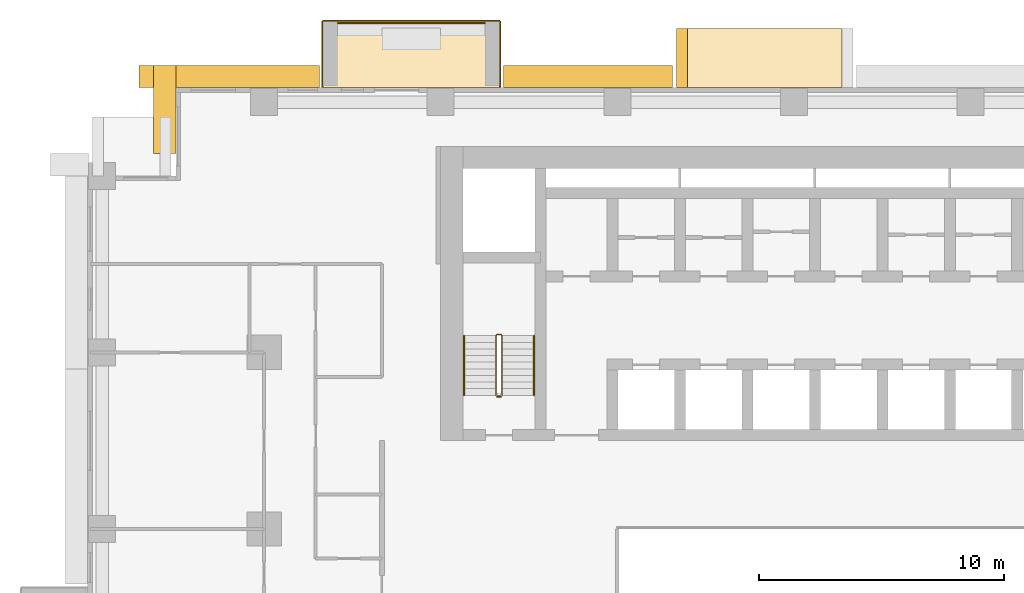
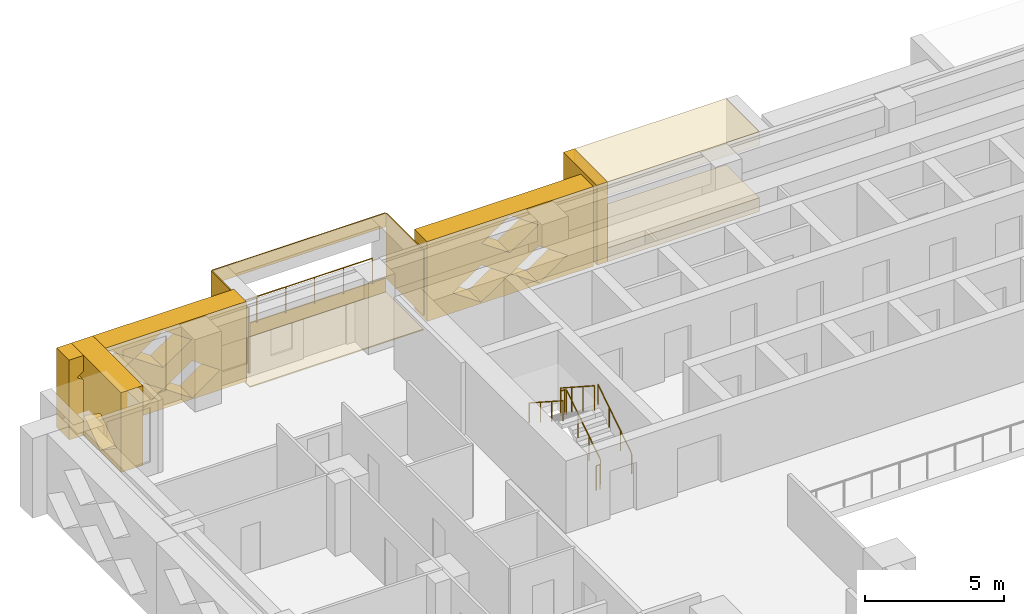
# One storey, part 15 of 17: 11 coverings, 5 railings.
"""IFC4 building model written with IfcOpenShell, lengths in metres."""

from ifc_helpers import new_model, si_unit, direction, frame, origin, origin_2d, place, context, subcontext, project, spatial, polyline, circle, outline, extrude, material, layer, layer_set, type_object, element, save


model = new_model("IFC4")

# Units and contexts
model_context = context("Model", 3, precision=1e-05, world=origin(), true_north=direction((0.0, 1.0)))
body_context = subcontext(model_context, "Body", "Model", "MODEL_VIEW")
ifc_project = project(units=[si_unit("LENGTHUNIT", "METRE"), si_unit("AREAUNIT", "SQUARE_METRE"), si_unit("VOLUMEUNIT", "CUBIC_METRE"), si_unit("PLANEANGLEUNIT", "RADIAN"), si_unit("MASSUNIT", "GRAM", prefix="KILO")], contexts=[model_context])

# Site, building, storey
site_placement = place(None, origin())
site = spatial("IfcSite", under=ifc_project, at=site_placement, CompositionType="ELEMENT")
building_placement = place(site_placement, origin())
building = spatial("IfcBuilding", under=site, at=building_placement, Name="Saffron Iwan Residences", CompositionType="ELEMENT")
storey_placement = place(building_placement, frame((0.0, 0.0, 51.5)))
storey = spatial("IfcBuildingStorey", under=building, at=storey_placement, Name="L12", CompositionType="ELEMENT", Elevation=51.5)

# Railing
ifc_material_1 = material(Name="Stainless steel 316", Category="steel")
railing_type_1 = type_object("IfcRailingType", Name="BALCONY GUARD 1150", PredefinedType="GUARDRAIL", material=ifc_material_1)
railing_1_placement = place(storey_placement, frame((30.60009765625, 83.02490234375, 0.0)))
element("IfcRailing", 1, at=railing_1_placement, inside=storey, type_object=railing_type_1, Name="Balcony guard L12 F5-3", PredefinedType="GUARDRAIL", context=body_context, shape_type="SweptSolid", body=[
    extrude(circle(Radius=0.02392578125, at=origin_2d()), frame((0.0, 0.0, 1.1259765625), z_axis=(-1.0, 0.0, 0.0), x_axis=(0.0, -1.0, 0.0)), (0.0, 0.0, 1.0), 6.0),
    extrude(circle(Radius=0.02099609375, at=origin_2d()), origin(), (0.0, 0.0, 1.0), 1.101806640625),
    extrude(circle(Radius=0.02099609375, at=origin_2d()), frame((-1.199951171875, 0.0, 0.0)), (0.0, 0.0, 1.0), 1.101806640625),
    extrude(circle(Radius=0.02099609375, at=origin_2d()), frame((-2.39990234375, 0.0, 0.0)), (0.0, 0.0, 1.0), 1.101806640625),
    extrude(circle(Radius=0.02099609375, at=origin_2d()), frame((-3.60009765625, 0.0, 0.0)), (0.0, 0.0, 1.0), 1.101806640625),
    extrude(circle(Radius=0.02099609375, at=origin_2d()), frame((-4.800048828125, 0.0, 0.0)), (0.0, 0.0, 1.0), 1.101806640625),
    extrude(circle(Radius=0.02099609375, at=origin_2d()), frame((-6.0, 0.0, 0.0)), (0.0, 0.0, 1.0), 1.101806640625),
])

# Coverings
ifc_material_2 = material(Name="Precast concrete C40/50 white painted", Category="concrete")
ifc_layer = layer(ifc_material_2, 0.050048828125)
ifc_layer_set = layer_set([ifc_layer], Name="Precast concrete C40/50 white painted")
covering_type_1 = type_object("IfcCoveringType", Name="FRAME SKIN PRECAST WHITE 50", PredefinedType="CLADDING", material=ifc_layer_set)
for number, where, name in (
    (2, (0.0, 0.0, -0.60009765625), "Frame skin slab edge L12 F5-3"),
    (3, (0.0, 0.0, 2.25), "Frame skin fascia L12 F5-3"),
):
    element("IfcCovering", number, at=place(storey_placement, frame(where)), inside=storey, type_object=covering_type_1, Name=name, PredefinedType="CLADDING", context=body_context, shape_type="SweptSolid", body=[
        extrude(outline(polyline([(31.199951171875, 83.14990234375), (24.0, 83.14990234375), (24.0, 83.10009765625), (31.199951171875, 83.10009765625), (31.199951171875, 83.14990234375)])), origin(), (0.0, 0.0, 1.0), 0.60009765625),
    ])
covering_1_placement = place(storey_placement, frame((0.0, 0.0, -0.64990234375)))
element("IfcCovering", 4, at=covering_1_placement, inside=storey, type_object=covering_type_1, Name="Frame skin soffit L12 F5-3", PredefinedType="CLADDING", context=body_context, shape_type="SweptSolid", body=[
    extrude(outline(polyline([(31.199951171875, 83.10009765625), (24.0, 83.10009765625), (24.0, 80.39990234375), (31.199951171875, 80.39990234375), (31.199951171875, 83.10009765625)])), origin(), (0.0, 0.0, 1.0), 0.0498046875),
])
covering_2_placement = place(storey_placement, origin())
element("IfcCovering", 5, at=covering_2_placement, inside=storey, type_object=covering_type_1, Name="Frame skin fin L12 F5-3a", PredefinedType="CLADDING", context=body_context, shape_type="SweptSolid", body=[
    extrude(outline(polyline([(31.25, 83.10009765625), (31.199951171875, 83.10009765625), (31.199951171875, 80.39990234375), (31.25, 80.39990234375), (31.25, 83.10009765625)])), origin(), (0.0, 0.0, 1.0), 2.85009765625),
])
covering_3_placement = place(storey_placement, origin())
element("IfcCovering", 6, at=covering_3_placement, inside=storey, type_object=covering_type_1, Name="Frame skin fin L12 F5-3b", PredefinedType="CLADDING", context=body_context, shape_type="SweptSolid", body=[
    extrude(outline(polyline([(24.0, 83.10009765625), (23.949951171875, 83.10009765625), (23.949951171875, 80.39990234375), (24.0, 80.39990234375), (24.0, 83.10009765625)])), origin(), (0.0, 0.0, 1.0), 2.85009765625),
])
ifc_material_3 = material(Name="Precast concrete C40/50", Category="concrete")
covering_type_2 = type_object("IfcCoveringType", Name="OUTER SKIN LATTICE SCREEN", PredefinedType="CLADDING", material=ifc_material_3)
covering_4_placement = place(storey_placement, frame((38.25, 80.39990234375, -0.320068359375), z_axis=(0.0, 1.0, 0.0), x_axis=(-1.0, 0.0, 0.0)))
element("IfcCovering", 7, at=covering_4_placement, inside=storey, type_object=covering_type_2, Name="OUTER SKIN lattice screen L12 F5.3", PredefinedType="CLADDING", context=body_context, shape_type="SweptSolid", body=[
    extrude(outline(polyline([(0.0, 0.0), (6.89990234375, 0.0), (6.89990234375, 3.5), (0.0, 3.5), (0.0, 0.0)]), holes=[polyline([(1.070068359375, 0.875), (2.25, 0.06005859375), (3.429931640625, 0.875), (2.25, 1.68994140625), (1.070068359375, 0.875)]), polyline([(3.469970703125, 0.875), (4.64990234375, 0.06005859375), (5.830078125, 0.875), (4.64990234375, 1.68994140625), (3.469970703125, 0.875)]), polyline([(2.27001953125, 2.625), (3.449951171875, 1.81005859375), (4.6298828125, 2.625), (3.449951171875, 3.43994140625), (2.27001953125, 2.625)])]), origin(), (0.0, 0.0, 1.0), 0.900146484375),
])
covering_5_placement = place(storey_placement, frame((23.85009765625, 80.39990234375, -0.320068359375), z_axis=(0.0, 1.0, 0.0), x_axis=(-1.0, 0.0, 0.0)))
element("IfcCovering", 8, at=covering_5_placement, inside=storey, type_object=covering_type_2, Name="OUTER SKIN lattice screen L12 F5.4", PredefinedType="CLADDING", context=body_context, shape_type="SweptSolid", body=[
    extrude(outline(polyline([(0.0, 0.0), (7.35009765625, 0.0), (7.35009765625, 3.5), (0.0, 3.5), (0.0, 0.0)]), holes=[polyline([(1.070068359375, 0.875), (2.25, 0.06005859375), (3.429931640625, 0.875), (2.25, 1.68994140625), (1.070068359375, 0.875)]), polyline([(3.469970703125, 0.875), (4.64990234375, 0.06005859375), (5.830078125, 0.875), (4.64990234375, 1.68994140625), (3.469970703125, 0.875)]), polyline([(2.27001953125, 2.625), (3.449951171875, 1.81005859375), (4.6298828125, 2.625), (3.449951171875, 3.43994140625), (2.27001953125, 2.625)]), polyline([(4.669921875, 2.625), (5.85009765625, 1.81005859375), (7.030029296875, 2.625), (5.85009765625, 3.43994140625), (4.669921875, 2.625)])]), origin(), (0.0, 0.0, 1.0), 0.900146484375),
])
covering_6_placement = place(storey_placement, frame((18.0, 81.300048828125, -0.320068359375), z_axis=(-1.0, 0.0, 0.0), x_axis=(0.0, -1.0, 0.0)))
element("IfcCovering", 9, at=covering_6_placement, inside=storey, type_object=covering_type_2, Name="OUTER SKIN lattice screen L12 F6.0", PredefinedType="CLADDING", context=body_context, shape_type="SweptSolid", body=[
    extrude(outline(polyline([(0.0, 0.0), (3.60009765625, 0.0), (3.60009765625, 3.5), (0.0, 3.5), (0.0, 0.0)]), holes=[polyline([(0.919921875, 0.875), (2.10009765625, 0.06005859375), (3.280029296875, 0.875), (2.10009765625, 1.68994140625), (0.919921875, 0.875)])]), origin(), (0.0, 0.0, 1.0), 0.89990234375),
])

# Railings
ifc_material_4 = material(Name="Steel S355", Category="steel")
railing_type_2 = type_object("IfcRailingType", Name="Stair guard 1100", PredefinedType="GUARDRAIL", material=ifc_material_4)
railing_2_placement = place(storey_placement, frame((31.300048828125, 67.85009765625, 0.175048828125)))
element("IfcRailing", 10, at=railing_2_placement, inside=storey, type_object=railing_type_2, Name="L12 ST-W stair guard 1", PredefinedType="GUARDRAIL", context=body_context, shape_type="SweptSolid", body=[
    extrude(circle(Radius=0.02392578125, at=origin_2d()), frame((0.0, 0.0, 1.076171875), z_axis=(0.0, 0.839153699163, 0.543894354798), x_axis=(-1.0, 0.0, 0.0)), (0.0, 0.0, 1.0), 2.895751953125),
    extrude(circle(Radius=0.02392578125, at=origin_2d()), frame((0.0, 2.429931640625, 2.65087890625), z_axis=(-0.707106781187, 0.707106781187, 0.0), x_axis=(-0.707106781187, -0.707106781187, 0.0)), (0.0, 0.0, 1.0), 0.07080078125),
    extrude(circle(Radius=0.02392578125, at=origin_2d()), frame((-0.050048828125, 2.47998046875, 2.65087890625), z_axis=(-1.0, 0.0, 0.0), x_axis=(0.0, -1.0, 0.0)), (0.0, 0.0, 1.0), 0.14990234375),
    extrude(circle(Radius=0.02392578125, at=origin_2d()), frame((-0.199951171875, 2.47998046875, 2.65087890625), z_axis=(-0.265065253269, -0.265065253269, 0.927081885822), x_axis=(0.707106781187, -0.707106781187, 0.0)), (0.0, 0.0, 1.0), 0.188720703125),
    extrude(circle(Radius=0.02392578125, at=origin_2d()), frame((-0.25, 2.429931640625, 2.826171875), z_axis=(0.0, -0.839153699163, 0.543894354798), x_axis=(1.0, 0.0, 0.0)), (0.0, 0.0, 1.0), 2.895751953125),
    extrude(circle(Radius=0.02099609375, at=origin_2d()), origin(), (0.0, 0.0, 1.0), 1.052001953125),
    extrude(circle(Radius=0.02099609375, at=origin_2d()), frame((0.0, 0.81005859375, 0.52490234375)), (0.0, 0.0, 1.0), 1.052001953125),
    extrude(circle(Radius=0.02099609375, at=origin_2d()), frame((0.0, 1.619873046875, 1.050048828125)), (0.0, 0.0, 1.0), 1.052001953125),
    extrude(circle(Radius=0.02099609375, at=origin_2d()), frame((0.0, 2.429931640625, 1.574951171875)), (0.0, 0.0, 1.0), 1.052001953125),
    extrude(circle(Radius=0.02099609375, at=origin_2d()), frame((-0.050048828125, 2.47998046875, 1.574951171875)), (0.0, 0.0, 1.0), 1.052001953125),
    extrude(circle(Radius=0.02099609375, at=origin_2d()), frame((-0.199951171875, 2.47998046875, 1.574951171875)), (0.0, 0.0, 1.0), 1.052001953125),
    extrude(circle(Radius=0.02099609375, at=origin_2d()), frame((-0.25, 2.429931640625, 1.75)), (0.0, 0.0, 1.0), 1.052001953125),
    extrude(circle(Radius=0.02099609375, at=origin_2d()), frame((-0.25, 1.619873046875, 2.27490234375)), (0.0, 0.0, 1.0), 1.052001953125),
    extrude(circle(Radius=0.02099609375, at=origin_2d()), frame((-0.25, 0.81005859375, 2.800048828125)), (0.0, 0.0, 1.0), 1.052001953125),
    extrude(circle(Radius=0.02099609375, at=origin_2d()), frame((-0.25, 0.0, 3.324951171875)), (0.0, 0.0, 1.0), 1.052001953125),
])
railing_3_placement = place(storey_placement, frame((31.25, 67.800048828125, 0.0)))
element("IfcRailing", 11, at=railing_3_placement, inside=storey, type_object=railing_type_2, Name="L12 ST-W stair guard 2", PredefinedType="GUARDRAIL", context=body_context, shape_type="SweptSolid", body=[
    extrude(circle(Radius=0.02392578125, at=origin_2d()), frame((0.0, 0.0, 1.076171875), z_axis=(-1.0, 0.0, 0.0), x_axis=(0.0, -1.0, 0.0)), (0.0, 0.0, 1.0), 0.14990234375),
    extrude(circle(Radius=0.02099609375, at=origin_2d()), origin(), (0.0, 0.0, 1.0), 1.052001953125),
    extrude(circle(Radius=0.02099609375, at=origin_2d()), frame((-0.14990234375, 0.0, 0.0)), (0.0, 0.0, 1.0), 1.052001953125),
])
railing_type_3 = type_object("IfcRailingType", Name="Stair handrail 900", PredefinedType="HANDRAIL", material=ifc_material_1)
railing_4_placement = place(storey_placement, frame((32.60009765625, 67.85009765625, 0.175048828125)))
element("IfcRailing", 12, at=railing_4_placement, inside=storey, type_object=railing_type_3, Name="L12 ST-W stair handrail 1", PredefinedType="HANDRAIL", context=body_context, shape_type="SweptSolid", body=[
    extrude(circle(Radius=0.02392578125, at=origin_2d()), frame((0.0, 0.0, 0.8759765625), z_axis=(0.0, 0.839153699163, 0.543894354798), x_axis=(-1.0, 0.0, 0.0)), (0.0, 0.0, 1.0), 2.895751953125),
    extrude(circle(Radius=0.02099609375, at=origin_2d()), origin(), (0.0, 0.0, 1.0), 0.851806640625),
    extrude(circle(Radius=0.02099609375, at=origin_2d()), frame((0.0, 0.81005859375, 0.52490234375)), (0.0, 0.0, 1.0), 0.851806640625),
    extrude(circle(Radius=0.02099609375, at=origin_2d()), frame((0.0, 1.619873046875, 1.050048828125)), (0.0, 0.0, 1.0), 0.851806640625),
    extrude(circle(Radius=0.02099609375, at=origin_2d()), frame((0.0, 2.429931640625, 1.574951171875)), (0.0, 0.0, 1.0), 0.851806640625),
])
railing_5_placement = place(storey_placement, frame((29.75, 70.280029296875, 1.925048828125)))
element("IfcRailing", 13, at=railing_5_placement, inside=storey, type_object=railing_type_3, Name="L12 ST-W stair handrail 2", PredefinedType="HANDRAIL", context=body_context, shape_type="SweptSolid", body=[
    extrude(circle(Radius=0.02392578125, at=origin_2d()), frame((0.0, 0.0, 0.8759765625), z_axis=(0.0, -0.839153699163, 0.543894354798), x_axis=(1.0, 0.0, 0.0)), (0.0, 0.0, 1.0), 2.895751953125),
    extrude(circle(Radius=0.02099609375, at=origin_2d()), origin(), (0.0, 0.0, 1.0), 0.851806640625),
    extrude(circle(Radius=0.02099609375, at=origin_2d()), frame((0.0, -0.81005859375, 0.52490234375)), (0.0, 0.0, 1.0), 0.851806640625),
    extrude(circle(Radius=0.02099609375, at=origin_2d()), frame((0.0, -1.619873046875, 1.050048828125)), (0.0, 0.0, 1.0), 0.851806640625),
    extrude(circle(Radius=0.02099609375, at=origin_2d()), frame((0.0, -2.429931640625, 1.574951171875)), (0.0, 0.0, 1.0), 0.851806640625),
])

# Coverings
covering_type_3 = type_object("IfcCoveringType", Name="WHITE SUN FRAME PRECAST", PredefinedType="CLADDING", material=ifc_material_2)
covering_7_placement = place(storey_placement, frame((38.85009765625, 80.39990234375, -0.320068359375), z_axis=(0.0, 1.0, 0.0), x_axis=(-1.0, 0.0, 0.0)))
element("IfcCovering", 14, at=covering_7_placement, inside=storey, type_object=covering_type_3, Name="Sun frame L12 F5 37.2b", PredefinedType="CLADDING", context=body_context, shape_type="SweptSolid", body=[
    extrude(outline(polyline([(0.0, 0.0), (0.449951171875, 0.0), (0.449951171875, 3.5), (0.0, 3.5), (0.0, 0.0)])), origin(), (0.0, 0.0, 1.0), 2.400146484375),
])
for number, where, z_axis, x_axis, name in (
    (15, (45.14990234375, 80.39990234375, 2.580078125), (0.0, 1.0, 0.0), (-1.0, 0.0, 0.0), "Sun frame L12 F5 37.2h"),
    (16, (45.14990234375, 80.39990234375, -0.320068359375), (0.0, 1.0, 0.0), (-1.0, 0.0, 0.0), "Sun frame L12 F5 37.2s"),
):
    element("IfcCovering", number, at=place(storey_placement, frame(where, z_axis=z_axis, x_axis=x_axis)), inside=storey, type_object=covering_type_3, Name=name, PredefinedType="CLADDING", context=body_context, shape_type="SweptSolid", body=[
        extrude(outline(polyline([(0.0, 0.0), (6.300048828125, 0.0), (6.300048828125, 0.60009765625), (0.0, 0.60009765625), (0.0, 0.0)])), origin(), (0.0, 0.0, 1.0), 2.400146484375),
    ])

save(model, "model.ifc")
